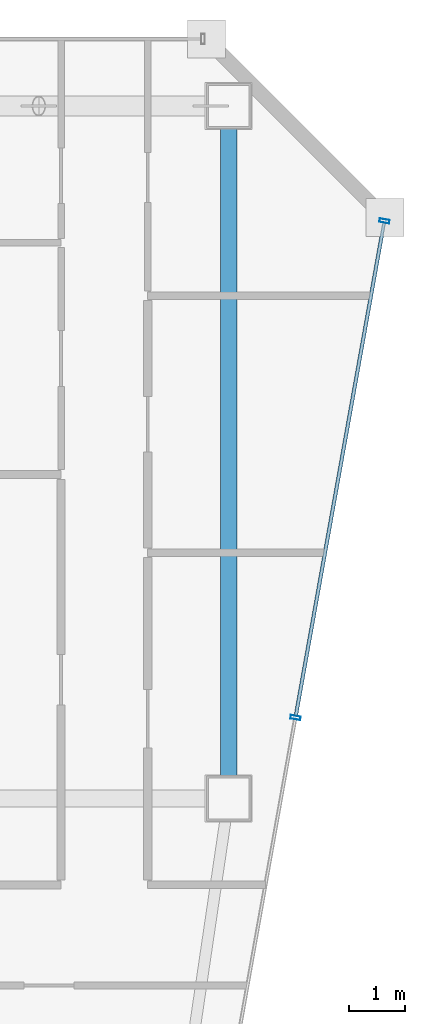
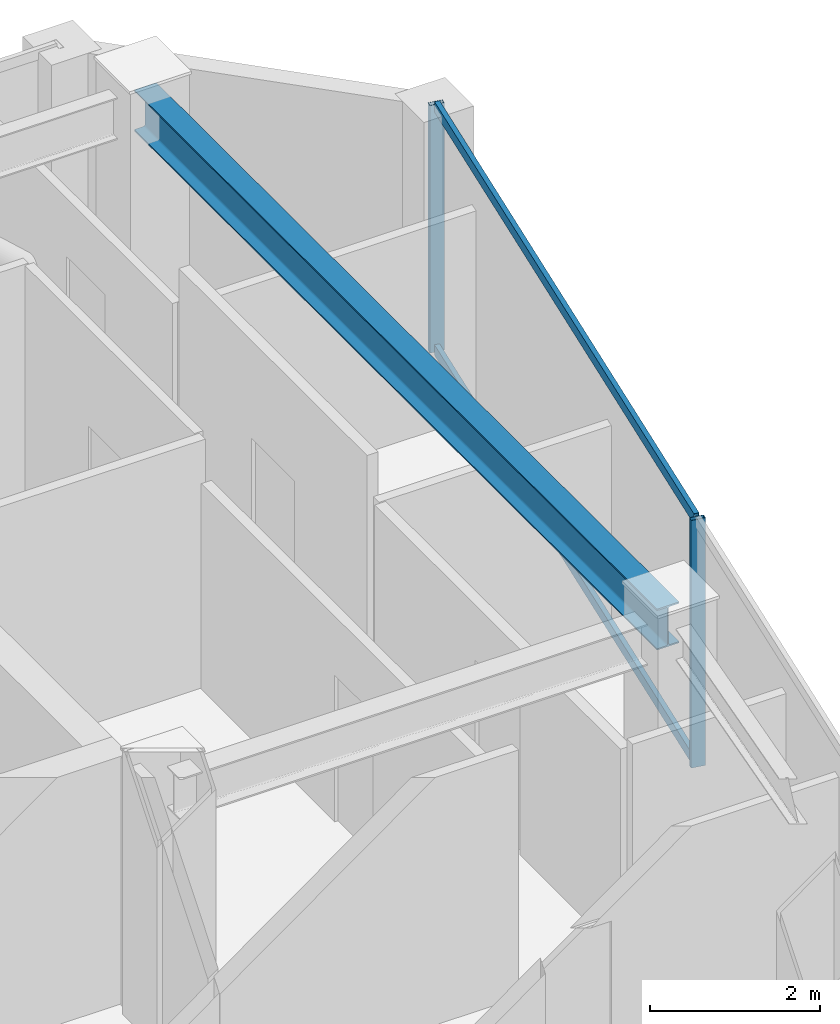
# One storey, part 19 of 32: 4 members, 1 beam, 1 element without a shape of its own.
"""IFC4 building model written with IfcOpenShell, lengths in metres."""

from ifc_helpers import new_model, si_unit, direction, frame, origin, origin_2d, place, context, subcontext, project, spatial, hollow_rectangle, i_section, extrude, material, material_profile, profile_set, type_object, element, aggregate, save


model = new_model("IFC4")

# Units and contexts
model_context = context("Model", 3, precision=1e-05, world=origin(), true_north=direction((0.0, 1.0)))
body_context = subcontext(model_context, "Body", "Model", "MODEL_VIEW")
ifc_project = project(units=[si_unit("LENGTHUNIT", "METRE"), si_unit("AREAUNIT", "SQUARE_METRE"), si_unit("VOLUMEUNIT", "CUBIC_METRE"), si_unit("PLANEANGLEUNIT", "RADIAN"), si_unit("MASSUNIT", "GRAM", prefix="KILO")], contexts=[model_context])

# Site, building, storey
site_placement = place(None, origin())
site = spatial("IfcSite", under=ifc_project, at=site_placement, CompositionType="ELEMENT")
building_placement = place(site_placement, origin())
building = spatial("IfcBuilding", under=site, at=building_placement, Name="Saevonmaru Cultural Tower", CompositionType="ELEMENT")
storey_placement = place(building_placement, frame((0.0, 0.0, 257.199951171875)))
storey = spatial("IfcBuildingStorey", under=building, at=storey_placement, Name="L60", CompositionType="ELEMENT", Elevation=257.199951171875)

# Beam
ifc_material_1 = material(Name="Steel SM355", Category="steel")
ifc_material_profile_1 = material_profile(ifc_material_1, i_section(OverallWidth=0.300048828125, OverallDepth=0.587890625, WebThickness=0.011962890625, FlangeThickness=0.02001953125, FilletRadius=0.02392578125, at=origin_2d()), Name="H-588x300x12x20")
ifc_profile_set_1 = profile_set([ifc_material_profile_1], Name="Steel SM355")
beam_type = type_object("IfcBeamType", Name="BM-G-H588", PredefinedType="BEAM", material=ifc_profile_set_1)
beam_placement = place(storey_placement, frame((53.199951171875, 54.739990234375, 3.256103515625), z_axis=(0.0, -1.0, 0.0), x_axis=(1.0, 0.0, 0.0)))
element("IfcBeam", 1, at=beam_placement, inside=storey, type_object=beam_type, Name="L60 Spine Transverse Girder E", PredefinedType="BEAM", context=body_context, shape_type="SweptSolid", body=[
    extrude(i_section(OverallWidth=0.300048828125, OverallDepth=0.587890625, WebThickness=0.011962890625, FlangeThickness=0.02001953125, FilletRadius=0.02392578125, at=origin_2d()), origin(), (0.0, 0.0, 1.0), 12.280029296875),
])

# Curtain wall, members
ifc_material_2 = material(Name="Satin Bronze Anodised Aluminium", Category="aluminium")
curtain_wall_type = type_object("IfcCurtainWallType", Name="CW-TYP-B", PredefinedType="NOTDEFINED", material=ifc_material_2)
curtain_wall_placement = place(storey_placement, origin())
curtain_wall = element("IfcCurtainWall", 2, at=curtain_wall_placement, inside=storey, type_object=curtain_wall_type, Name="L60 Unitised Curtain Wall E8", PredefinedType="NOTDEFINED")
ifc_material_profile_2 = material_profile(ifc_material_2, hollow_rectangle(XDim=0.06494140625, YDim=0.179931640625, WallThickness=0.00390625, at=origin_2d()), Name="ALU-MULL-180x65x4")
ifc_profile_set_2 = profile_set([ifc_material_profile_2], Name="Satin Bronze Anodised Aluminium")
member_type_1 = type_object("IfcMemberType", Name="ML-CW-180x65", PredefinedType="MULLION", material=ifc_profile_set_2)
member_1_placement = place(storey_placement, frame((54.39794921875, 43.846923828125, 0.0), z_axis=(0.0, 0.0, 1.0), x_axis=(0.176140740755, 0.984364993001, 0.0)))
member_1 = element("IfcMember", 3, at=member_1_placement, type_object=member_type_1, Name="CW-TW-L60-E8 mullion 3", PredefinedType="MULLION", context=body_context, shape_type="SweptSolid", body=[
    extrude(hollow_rectangle(XDim=0.06494140625, YDim=0.179931640625, WallThickness=0.00390625, at=origin_2d()), origin(), (0.0, 0.0, 1.0), 3.550048828125),
])
member_2_placement = place(storey_placement, frame((55.989501953125, 52.740966796875, 0.0), z_axis=(0.0, 0.0, 1.0), x_axis=(0.176140740755, 0.984364993001, 0.0)))
member_2 = element("IfcMember", 4, at=member_2_placement, type_object=member_type_1, Name="CW-TW-L60-E8 mullion 4", PredefinedType="MULLION", context=body_context, shape_type="SweptSolid", body=[
    extrude(hollow_rectangle(XDim=0.06494140625, YDim=0.179931640625, WallThickness=0.00390625, at=origin_2d()), origin(), (0.0, 0.0, 1.0), 3.550048828125),
])
ifc_material_profile_3 = material_profile(ifc_material_2, hollow_rectangle(XDim=0.06494140625, YDim=0.14990234375, WallThickness=0.00390625, at=origin_2d()), Name="ALU-TRAN-150x65x4")
ifc_profile_set_3 = profile_set([ifc_material_profile_3], Name="Satin Bronze Anodised Aluminium")
member_type_2 = type_object("IfcMemberType", Name="TR-CW-150x65", PredefinedType="USERDEFINED", material=ifc_profile_set_3)
member_3_placement = place(storey_placement, frame((54.403564453125, 43.87890625, 0.032470703125), z_axis=(0.176144810911, 0.984364264685, 0.0), x_axis=(-0.984364264685, 0.176144810911, 0.0)))
member_3 = element("IfcMember", 5, at=member_3_placement, type_object=member_type_2, Name="CW-TW-L60-E8 transom 3.1", ObjectType="TRANSOM", PredefinedType="USERDEFINED", context=body_context, shape_type="SweptSolid", body=[
    extrude(hollow_rectangle(XDim=0.06494140625, YDim=0.14990234375, WallThickness=0.00390625, at=origin_2d()), origin(), (0.0, 0.0, 1.0), 8.97021484375),
])
member_4_placement = place(storey_placement, frame((54.403564453125, 43.87890625, 3.517578125), z_axis=(0.176144810911, 0.984364264685, 0.0), x_axis=(-0.984364264685, 0.176144810911, 0.0)))
member_4 = element("IfcMember", 6, at=member_4_placement, type_object=member_type_2, Name="CW-TW-L60-E8 transom 3.2", ObjectType="TRANSOM", PredefinedType="USERDEFINED", context=body_context, shape_type="SweptSolid", body=[
    extrude(hollow_rectangle(XDim=0.06494140625, YDim=0.14990234375, WallThickness=0.00390625, at=origin_2d()), origin(), (0.0, 0.0, 1.0), 8.97021484375),
])
aggregate(curtain_wall, [member_1, member_2, member_3, member_4])

save(model, "model.ifc")
